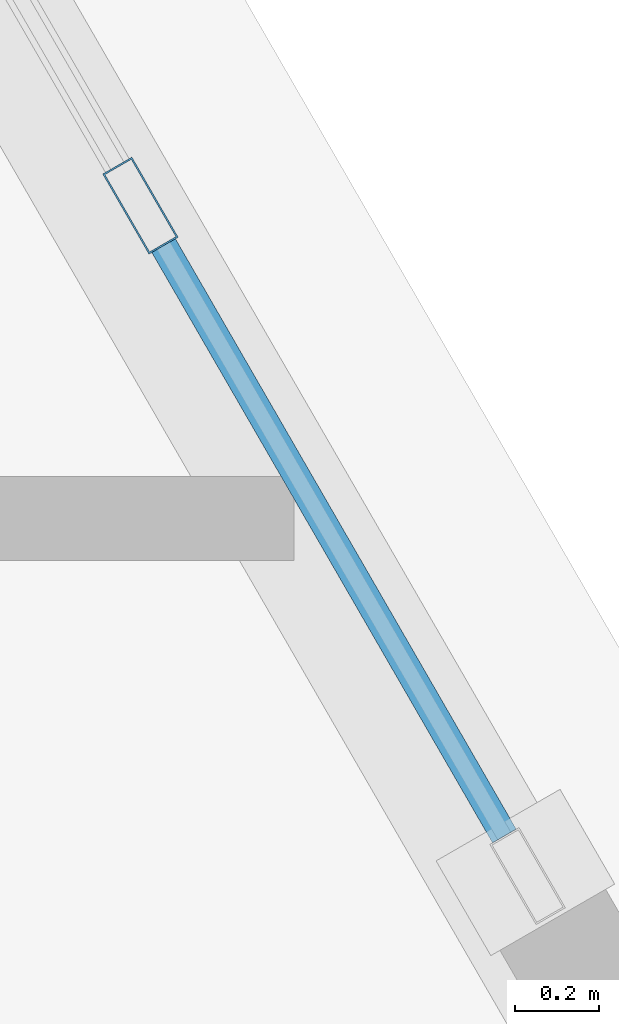
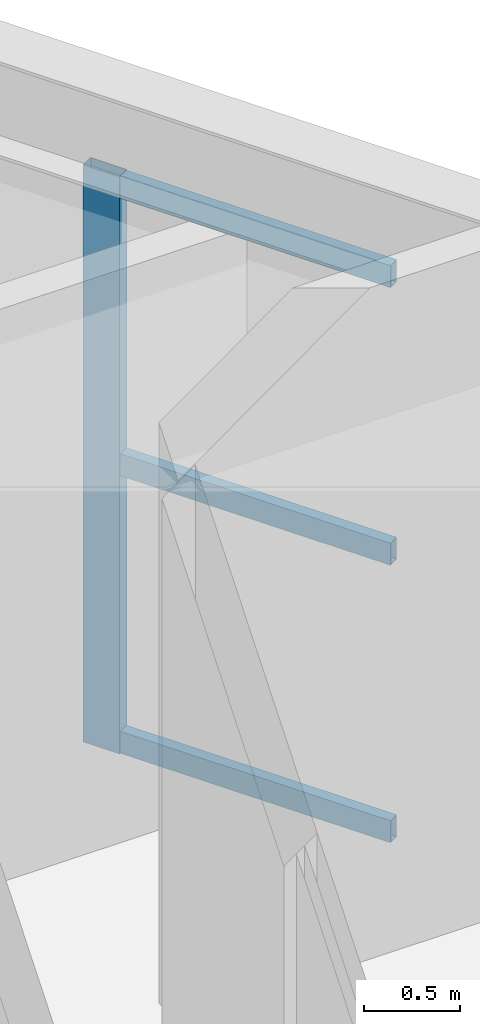
# One storey, part 8 of 15: 4 members, 1 element without a shape of its own.
"""IFC4 building model written with IfcOpenShell, lengths in metres."""

from ifc_helpers import new_model, si_unit, direction, frame, origin, origin_2d, place, context, subcontext, project, spatial, hollow_rectangle, extrude, material, layer, layer_set, material_profile, profile_set, type_object, element, aggregate, save


model = new_model("IFC4")

# Units and contexts
model_context = context("Model", 3, precision=1e-05, world=origin(), true_north=direction((0.0, 1.0)))
body_context = subcontext(model_context, "Body", "Model", "MODEL_VIEW")
ifc_project = project(units=[si_unit("LENGTHUNIT", "METRE"), si_unit("AREAUNIT", "SQUARE_METRE"), si_unit("VOLUMEUNIT", "CUBIC_METRE"), si_unit("PLANEANGLEUNIT", "RADIAN"), si_unit("MASSUNIT", "GRAM", prefix="KILO")], contexts=[model_context])

# Site, building, storey
site_placement = place(None, origin())
site = spatial("IfcSite", under=ifc_project, at=site_placement, CompositionType="ELEMENT")
building_placement = place(site_placement, origin())
building = spatial("IfcBuilding", under=site, at=building_placement, Name="Oramaril Tower", CompositionType="ELEMENT")
storey_placement = place(building_placement, frame((0.0, 0.0, 305.10009765625)))
storey = spatial("IfcBuildingStorey", under=building, at=storey_placement, Name="L80", CompositionType="ELEMENT", Elevation=305.10009765625)

# Curtain wall, members
ifc_material_1 = material(Name="Anodised Aluminium 6063-T6", Category="aluminium")
ifc_layer = layer(ifc_material_1, 0.219970703125)
ifc_layer_set = layer_set([ifc_layer], Name="CWT-SYS6")
curtain_wall_type = type_object("IfcCurtainWallType", Name="CWT-SYS6", PredefinedType="NOTDEFINED", material=ifc_layer_set)
curtain_wall_placement = place(storey_placement, origin())
curtain_wall = element("IfcCurtainWall", 1, at=curtain_wall_placement, inside=storey, type_object=curtain_wall_type, Name="L80 Unitised Curtain Wall CW-6", PredefinedType="NOTDEFINED")
ifc_material_2 = material(Name="Anodised Aluminium 6063-T6", Category="aluminium")
ifc_material_profile_1 = material_profile(ifc_material_2, hollow_rectangle(XDim=0.080078125, YDim=0.219970703125, WallThickness=0.00390625, at=origin_2d()), Name="CWM220X80")
ifc_profile_set_1 = profile_set([ifc_material_profile_1], Name="Anodised Aluminium 6063-T6")
member_type_1 = type_object("IfcMemberType", Name="MT-CWM1", PredefinedType="MULLION", material=ifc_profile_set_1)
member_1_placement = place(storey_placement, frame((48.79833984375, 26.623291015625, 0.0), z_axis=(0.0, 0.0, 1.0), x_axis=(-0.866025463091, -0.499999897278, 0.0)))
member_1 = element("IfcMember", 2, at=member_1_placement, type_object=member_type_1, Name="CW-6 mullion 2", PredefinedType="MULLION", context=body_context, shape_type="SweptSolid", body=[
    extrude(hollow_rectangle(XDim=0.080078125, YDim=0.219970703125, WallThickness=0.00390625, at=origin_2d()), origin(), (0.0, 0.0, 1.0), 3.657958984375),
])
ifc_material_3 = material(Name="Anodised Aluminium 6063-T6", Category="aluminium")
ifc_material_profile_2 = material_profile(ifc_material_3, hollow_rectangle(XDim=0.06494140625, YDim=0.139892578125, WallThickness=0.00390625, at=origin_2d()), Name="CWT140X65")
ifc_profile_set_2 = profile_set([ifc_material_profile_2], Name="Anodised Aluminium 6063-T6")
member_type_2 = type_object("IfcMemberType", Name="MT-CWT2", PredefinedType="USERDEFINED", material=ifc_profile_set_2)
member_2_placement = place(storey_placement, frame((49.663330078125, 25.125, 0.06982421875), z_axis=(-0.499883351328, 0.866092740453, 0.0), x_axis=(-0.866092740453, -0.499883351328, 0.0)))
member_2 = element("IfcMember", 3, at=member_2_placement, type_object=member_type_2, Name="CW-6 transom 1.1", ObjectType="TRANSOM", PredefinedType="USERDEFINED", context=body_context, shape_type="SweptSolid", body=[
    extrude(hollow_rectangle(XDim=0.06494140625, YDim=0.139892578125, WallThickness=0.00390625, at=origin_2d()), origin(), (0.0, 0.0, 1.0), 1.6201171875),
])
member_3_placement = place(storey_placement, frame((49.663330078125, 25.125, 1.828857421875), z_axis=(-0.499883351328, 0.866092740453, 0.0), x_axis=(-0.866092740453, -0.499883351328, 0.0)))
member_3 = element("IfcMember", 4, at=member_3_placement, type_object=member_type_2, Name="CW-6 transom 1.2", ObjectType="TRANSOM", PredefinedType="USERDEFINED", context=body_context, shape_type="SweptSolid", body=[
    extrude(hollow_rectangle(XDim=0.06494140625, YDim=0.139892578125, WallThickness=0.00390625, at=origin_2d()), origin(), (0.0, 0.0, 1.0), 1.6201171875),
])
member_4_placement = place(storey_placement, frame((49.663330078125, 25.125, 3.587890625), z_axis=(-0.499883351328, 0.866092740453, 0.0), x_axis=(-0.866092740453, -0.499883351328, 0.0)))
member_4 = element("IfcMember", 5, at=member_4_placement, type_object=member_type_2, Name="CW-6 transom 1.3", ObjectType="TRANSOM", PredefinedType="USERDEFINED", context=body_context, shape_type="SweptSolid", body=[
    extrude(hollow_rectangle(XDim=0.06494140625, YDim=0.139892578125, WallThickness=0.00390625, at=origin_2d()), origin(), (0.0, 0.0, 1.0), 1.6201171875),
])
aggregate(curtain_wall, [member_1, member_2, member_3, member_4])

save(model, "model.ifc")
